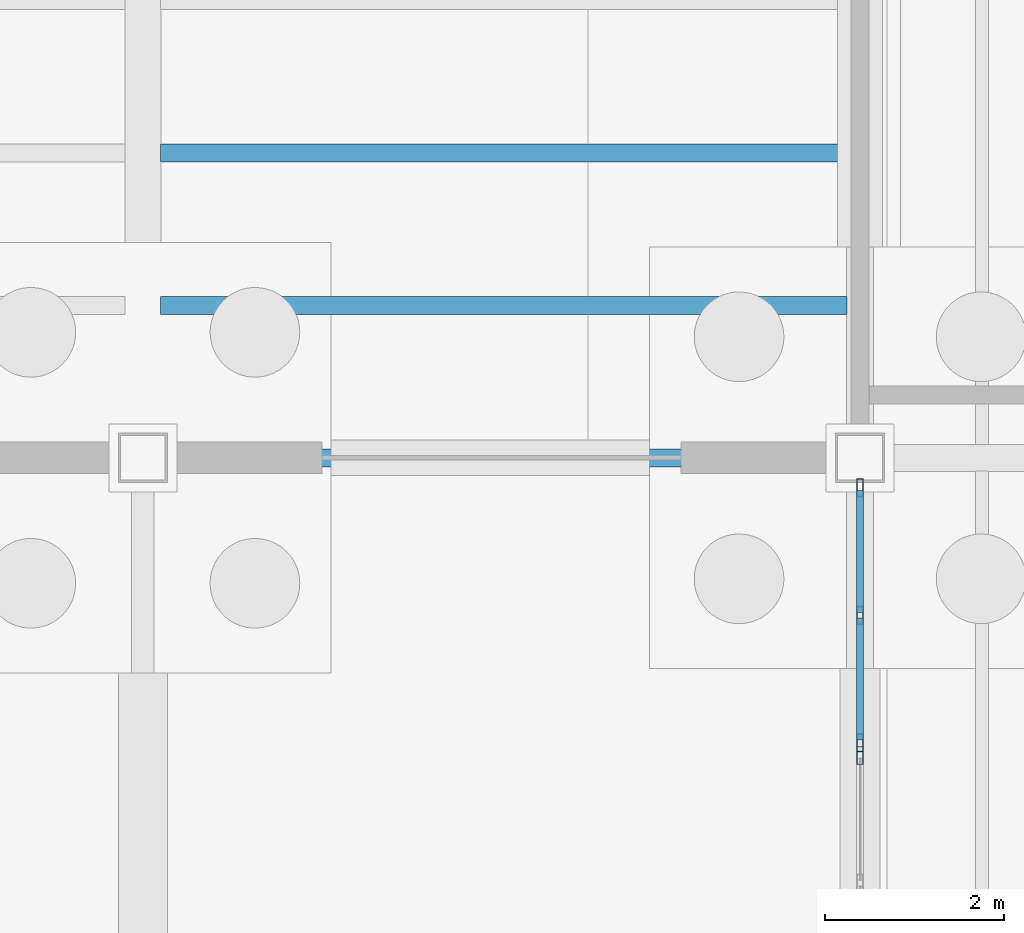
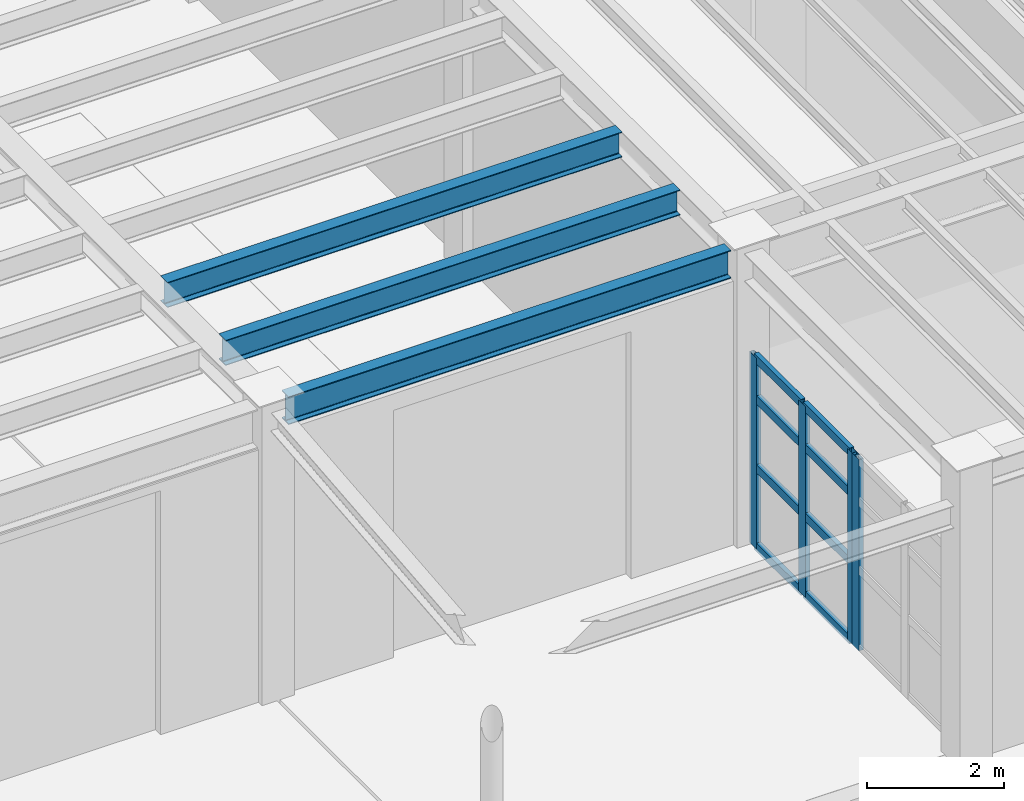
# One storey, part 39 of 86: 12 members, 3 beams, 2 elements without a shape of their own.
"""IFC4 building model written with IfcOpenShell, lengths in metres."""

from ifc_helpers import new_model, si_unit, direction, frame, origin, origin_2d, place, context, subcontext, project, spatial, hollow_rectangle, i_section, extrude, material, material_profile, profile_set, type_object, element, aggregate, save


model = new_model("IFC4")

# Units and contexts
model_context = context("Model", 3, precision=1e-05, world=origin(), true_north=direction((0.0, 1.0)))
body_context = subcontext(model_context, "Body", "Model", "MODEL_VIEW")
ifc_project = project(units=[si_unit("LENGTHUNIT", "METRE"), si_unit("AREAUNIT", "SQUARE_METRE"), si_unit("VOLUMEUNIT", "CUBIC_METRE"), si_unit("PLANEANGLEUNIT", "RADIAN"), si_unit("MASSUNIT", "GRAM", prefix="KILO"), si_unit("THERMODYNAMICTEMPERATUREUNIT", "KELVIN"), si_unit("POWERUNIT", "WATT")], contexts=[model_context])

# Site, building, storey
site_placement = place(None, origin())
site = spatial("IfcSite", under=ifc_project, at=site_placement, CompositionType="ELEMENT")
building_placement = place(site_placement, origin())
building = spatial("IfcBuilding", under=site, at=building_placement, Name="Zhenchuan Central Fire Station", CompositionType="ELEMENT")
storey_placement = place(building_placement, frame((0.0, 0.0, 0.449951171875)))
storey = spatial("IfcBuildingStorey", under=building, at=storey_placement, Name="L01", CompositionType="ELEMENT", Elevation=0.449951171875)

# Beams
ifc_material_1 = material(Name="Steel Q355B", Category="steel")
ifc_material_profile_1 = material_profile(ifc_material_1, i_section(OverallWidth=0.199951171875, OverallDepth=0.449951171875, WebThickness=0.009033203125, FlangeThickness=0.013916015625, FilletRadius=0.01806640625, at=origin_2d()), Name="HN 450x200")
ifc_profile_set_1 = profile_set([ifc_material_profile_1], Name="Steel Q355B")
beam_type_1 = type_object("IfcBeamType", Name="BM-HN450", PredefinedType="BEAM", material=ifc_profile_set_1)
for number, where, z_axis, x_axis, name in (
    (1, (132.197021484375, 8.199951171875, 4.97509765625), (1.0, 0.0, 0.0), (0.0, 1.0, 0.0), "Appliance Hall Secondary Floor Joist 0957"),
    (2, (132.197021484375, 9.89990234375, 4.97509765625), (1.0, 0.0, 0.0), (0.0, 1.0, 0.0), "Appliance Hall Secondary Floor Joist 0958"),
):
    element("IfcBeam", number, at=place(storey_placement, frame(where, z_axis=z_axis, x_axis=x_axis)), inside=storey, type_object=beam_type_1, Name=name, PredefinedType="BEAM", context=body_context, shape_type="SweptSolid", body=[
        extrude(i_section(OverallWidth=0.199951171875, OverallDepth=0.449951171875, WebThickness=0.009033203125, FlangeThickness=0.013916015625, FilletRadius=0.01806640625, at=origin_2d()), origin(), (0.0, 0.0, 1.0), 7.656005859375),
    ])

# Curtain wall, member
ifc_material_2 = material(Name="Anodised aluminium and low-E glazing", Category="aluminium")
curtain_wall_type_1 = type_object("IfcCurtainWallType", Name="CW-MOD-09", PredefinedType="USERDEFINED", material=ifc_material_2)
curtain_wall_1_placement = place(storey_placement, origin())
curtain_wall_1 = element("IfcCurtainWall", 3, at=curtain_wall_1_placement, inside=storey, type_object=curtain_wall_type_1, Name="L01 Unitised Curtain Wall 080", ObjectType="UNITISED GLAZING", PredefinedType="USERDEFINED")
ifc_material_3 = material(Name="Anodised aluminium EN AW-6063", Category="aluminium")
ifc_material_profile_2 = material_profile(ifc_material_3, hollow_rectangle(XDim=0.074951171875, YDim=0.199951171875, WallThickness=0.0048828125, at=origin_2d()), Name="ALU-M 200x75")
ifc_profile_set_2 = profile_set([ifc_material_profile_2], Name="Anodised aluminium EN AW-6063")
member_type_1 = type_object("IfcMemberType", Name="CW-MUL160", PredefinedType="MULLION", material=ifc_profile_set_2)
member_1_placement = place(storey_placement, frame((140.0, 3.179443359375, -0.00390625), z_axis=(0.0, 0.0, 1.0), x_axis=(-1.0, 0.0, 0.0)))
member_1 = element("IfcMember", 4, at=member_1_placement, type_object=member_type_1, Name="CW-09 mullion 3", PredefinedType="MULLION", context=body_context, shape_type="SweptSolid", body=[
    extrude(hollow_rectangle(XDim=0.074951171875, YDim=0.199951171875, WallThickness=0.0048828125, at=origin_2d()), origin(), (0.0, 0.0, 1.0), 3.404052734375),
])
aggregate(curtain_wall_1, [member_1])

# Curtain wall, members
curtain_wall_type_2 = type_object("IfcCurtainWallType", Name="CW-MOD-10", PredefinedType="USERDEFINED", material=ifc_material_2)
curtain_wall_2_placement = place(storey_placement, origin())
curtain_wall_2 = element("IfcCurtainWall", 5, at=curtain_wall_2_placement, inside=storey, type_object=curtain_wall_type_2, Name="L01 Unitised Curtain Wall 081", ObjectType="UNITISED GLAZING", PredefinedType="USERDEFINED")
member_2_placement = place(storey_placement, frame((140.0, 3.320556640625, -0.00390625), z_axis=(0.0, 0.0, 1.0), x_axis=(-1.0, 0.0, 0.0)))
member_2 = element("IfcMember", 6, at=member_2_placement, type_object=member_type_1, Name="CW-10 mullion 1", PredefinedType="MULLION", context=body_context, shape_type="SweptSolid", body=[
    extrude(hollow_rectangle(XDim=0.074951171875, YDim=0.199951171875, WallThickness=0.0048828125, at=origin_2d()), origin(), (0.0, 0.0, 1.0), 3.404052734375),
])
member_3_placement = place(storey_placement, frame((140.0, 4.743896484375, -0.00390625), z_axis=(0.0, 0.0, 1.0), x_axis=(-1.0, 0.0, 0.0)))
member_3 = element("IfcMember", 7, at=member_3_placement, type_object=member_type_1, Name="CW-10 mullion 2", PredefinedType="MULLION", context=body_context, shape_type="SweptSolid", body=[
    extrude(hollow_rectangle(XDim=0.074951171875, YDim=0.199951171875, WallThickness=0.0048828125, at=origin_2d()), origin(), (0.0, 0.0, 1.0), 3.404052734375),
])
member_4_placement = place(storey_placement, frame((140.0, 6.16748046875, -0.00390625), z_axis=(0.0, 0.0, 1.0), x_axis=(-1.0, 0.0, 0.0)))
member_4 = element("IfcMember", 8, at=member_4_placement, type_object=member_type_1, Name="CW-10 mullion 3", PredefinedType="MULLION", context=body_context, shape_type="SweptSolid", body=[
    extrude(hollow_rectangle(XDim=0.074951171875, YDim=0.199951171875, WallThickness=0.0048828125, at=origin_2d()), origin(), (0.0, 0.0, 1.0), 3.404052734375),
])
ifc_material_profile_3 = material_profile(ifc_material_3, hollow_rectangle(XDim=0.074951171875, YDim=0.14990234375, WallThickness=0.0048828125, at=origin_2d()), Name="ALU-T 150x75")
ifc_profile_set_3 = profile_set([ifc_material_profile_3], Name="Anodised aluminium EN AW-6063")
member_type_2 = type_object("IfcMemberType", Name="CW-TRN130", PredefinedType="NOTDEFINED", material=ifc_profile_set_3)
member_5_placement = place(storey_placement, frame((140.0, 3.35302734375, 0.028564453125), z_axis=(0.0, 1.0, 0.0), x_axis=(-1.0, 0.0, 0.0)))
member_5 = element("IfcMember", 9, at=member_5_placement, type_object=member_type_2, Name="CW-10 transom 1.1", ObjectType="TRANSOM", PredefinedType="USERDEFINED", context=body_context, shape_type="SweptSolid", body=[
    extrude(hollow_rectangle(XDim=0.074951171875, YDim=0.14990234375, WallThickness=0.0048828125, at=origin_2d()), origin(), (0.0, 0.0, 1.0), 1.3583984375),
])
member_6_placement = place(storey_placement, frame((140.0, 3.35302734375, 1.427978515625), z_axis=(0.0, 1.0, 0.0), x_axis=(-1.0, 0.0, 0.0)))
member_6 = element("IfcMember", 10, at=member_6_placement, type_object=member_type_2, Name="CW-10 transom 1.2", ObjectType="TRANSOM", PredefinedType="USERDEFINED", context=body_context, shape_type="SweptSolid", body=[
    extrude(hollow_rectangle(XDim=0.074951171875, YDim=0.14990234375, WallThickness=0.0048828125, at=origin_2d()), origin(), (0.0, 0.0, 1.0), 1.3583984375),
])
member_7_placement = place(storey_placement, frame((140.0, 3.35302734375, 2.652099609375), z_axis=(0.0, 1.0, 0.0), x_axis=(-1.0, 0.0, 0.0)))
member_7 = element("IfcMember", 11, at=member_7_placement, type_object=member_type_2, Name="CW-10 transom 1.3", ObjectType="TRANSOM", PredefinedType="USERDEFINED", context=body_context, shape_type="SweptSolid", body=[
    extrude(hollow_rectangle(XDim=0.074951171875, YDim=0.14990234375, WallThickness=0.0048828125, at=origin_2d()), origin(), (0.0, 0.0, 1.0), 1.3583984375),
])
member_8_placement = place(storey_placement, frame((140.0, 3.35302734375, 3.367431640625), z_axis=(0.0, 1.0, 0.0), x_axis=(-1.0, 0.0, 0.0)))
member_8 = element("IfcMember", 12, at=member_8_placement, type_object=member_type_2, Name="CW-10 transom 1.4", ObjectType="TRANSOM", PredefinedType="USERDEFINED", context=body_context, shape_type="SweptSolid", body=[
    extrude(hollow_rectangle(XDim=0.074951171875, YDim=0.14990234375, WallThickness=0.0048828125, at=origin_2d()), origin(), (0.0, 0.0, 1.0), 1.3583984375),
])
member_9_placement = place(storey_placement, frame((140.0, 4.776611328125, 0.028564453125), z_axis=(0.0, 1.0, 0.0), x_axis=(-1.0, 0.0, 0.0)))
member_9 = element("IfcMember", 13, at=member_9_placement, type_object=member_type_2, Name="CW-10 transom 2.1", ObjectType="TRANSOM", PredefinedType="USERDEFINED", context=body_context, shape_type="SweptSolid", body=[
    extrude(hollow_rectangle(XDim=0.074951171875, YDim=0.14990234375, WallThickness=0.0048828125, at=origin_2d()), origin(), (0.0, 0.0, 1.0), 1.3583984375),
])
member_10_placement = place(storey_placement, frame((140.0, 4.776611328125, 1.427978515625), z_axis=(0.0, 1.0, 0.0), x_axis=(-1.0, 0.0, 0.0)))
member_10 = element("IfcMember", 14, at=member_10_placement, type_object=member_type_2, Name="CW-10 transom 2.2", ObjectType="TRANSOM", PredefinedType="USERDEFINED", context=body_context, shape_type="SweptSolid", body=[
    extrude(hollow_rectangle(XDim=0.074951171875, YDim=0.14990234375, WallThickness=0.0048828125, at=origin_2d()), origin(), (0.0, 0.0, 1.0), 1.3583984375),
])
member_11_placement = place(storey_placement, frame((140.0, 4.776611328125, 2.652099609375), z_axis=(0.0, 1.0, 0.0), x_axis=(-1.0, 0.0, 0.0)))
member_11 = element("IfcMember", 15, at=member_11_placement, type_object=member_type_2, Name="CW-10 transom 2.3", ObjectType="TRANSOM", PredefinedType="USERDEFINED", context=body_context, shape_type="SweptSolid", body=[
    extrude(hollow_rectangle(XDim=0.074951171875, YDim=0.14990234375, WallThickness=0.0048828125, at=origin_2d()), origin(), (0.0, 0.0, 1.0), 1.3583984375),
])
member_12_placement = place(storey_placement, frame((140.0, 4.776611328125, 3.367431640625), z_axis=(0.0, 1.0, 0.0), x_axis=(-1.0, 0.0, 0.0)))
member_12 = element("IfcMember", 16, at=member_12_placement, type_object=member_type_2, Name="CW-10 transom 2.4", ObjectType="TRANSOM", PredefinedType="USERDEFINED", context=body_context, shape_type="SweptSolid", body=[
    extrude(hollow_rectangle(XDim=0.074951171875, YDim=0.14990234375, WallThickness=0.0048828125, at=origin_2d()), origin(), (0.0, 0.0, 1.0), 1.3583984375),
])
aggregate(curtain_wall_2, [member_2, member_3, member_4, member_5, member_6, member_7, member_8, member_9, member_10, member_11, member_12])

# Beam
ifc_material_profile_4 = material_profile(ifc_material_1, i_section(OverallWidth=0.199951171875, OverallDepth=0.5, WebThickness=0.010009765625, FlangeThickness=0.01611328125, FilletRadius=0.02001953125, at=origin_2d()), Name="HN 500x200")
ifc_profile_set_4 = profile_set([ifc_material_profile_4], Name="Steel Q355B")
beam_type_2 = type_object("IfcBeamType", Name="SP-HN500-INT", PredefinedType="SPANDREL", material=ifc_profile_set_4)
beam_placement = place(storey_placement, frame((132.27490234375, 6.5, 4.949951171875), z_axis=(1.0, 0.0, 0.0), x_axis=(0.0, 1.0, 0.0)))
element("IfcBeam", 17, at=beam_placement, inside=storey, type_object=beam_type_2, Name="L02 Girder EW 0025", PredefinedType="SPANDREL", context=body_context, shape_type="SweptSolid", body=[
    extrude(i_section(OverallWidth=0.199951171875, OverallDepth=0.5, WebThickness=0.010009765625, FlangeThickness=0.01611328125, FilletRadius=0.02001953125, at=origin_2d()), origin(), (0.0, 0.0, 1.0), 7.4501953125),
])

save(model, "model.ifc")
